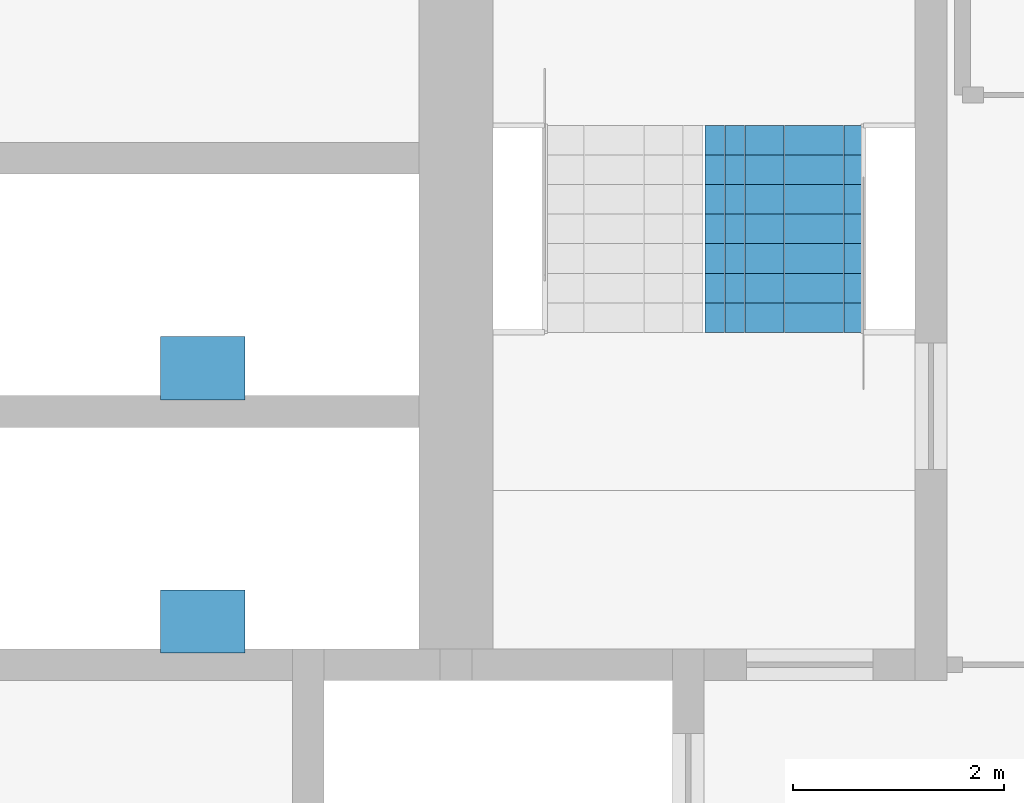
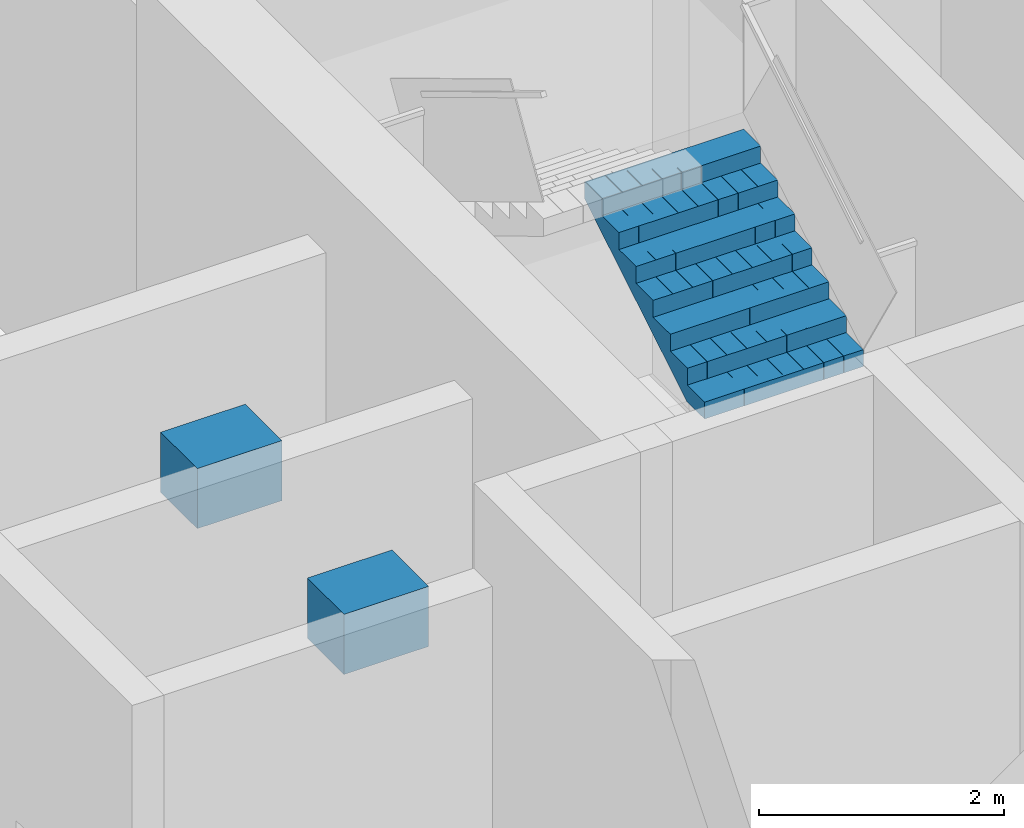
# One storey, part 14 of 42: 2 discrete accessories, 1 stair flight, 1 element without a shape of its own.
"""IFC4 building model written with IfcOpenShell, lengths in metres."""

from ifc_helpers import new_model, si_unit, direction, frame, origin, origin_2d, place, context, subcontext, project, spatial, polyline, rectangle, outline, extrude, material, type_object, element, aggregate, save


model = new_model("IFC4")

# Units and contexts
model_context = context("Model", 3, precision=1e-05, world=origin(), true_north=direction((0.0, 1.0)))
body_context = subcontext(model_context, "Body", "Model", "MODEL_VIEW")
ifc_project = project(units=[si_unit("LENGTHUNIT", "METRE"), si_unit("AREAUNIT", "SQUARE_METRE"), si_unit("VOLUMEUNIT", "CUBIC_METRE"), si_unit("PLANEANGLEUNIT", "RADIAN"), si_unit("MASSUNIT", "GRAM", prefix="KILO")], contexts=[model_context])

# Site, building, storey
site_placement = place(None, origin())
site = spatial("IfcSite", under=ifc_project, at=site_placement, CompositionType="ELEMENT")
building_placement = place(site_placement, origin())
building = spatial("IfcBuilding", under=site, at=building_placement, Name="Kolab Exchange Tower", CompositionType="ELEMENT")
storey_placement = place(building_placement, frame((0.0, 0.0, 133.39990234375)))
storey = spatial("IfcBuildingStorey", under=building, at=storey_placement, Name="L26", CompositionType="ELEMENT", Elevation=133.39990234375)

# Stair, stair flight
ifc_material = material(Name="Concrete C50/60", Category="concrete")
stair_type = type_object("IfcStairType", Name="STAIR ST1 RISER 168.8", PredefinedType="DOUBLE_RETURN_STAIR", material=ifc_material)
stair_placement = place(storey_placement, origin())
stair = element("IfcStair", 1, at=stair_placement, inside=storey, type_object=stair_type, Name="Stair 1", PredefinedType="DOUBLE_RETURN_STAIR")
stair_flight_type = type_object("IfcStairFlightType", Name="STAIR FLIGHT 1500 RISER 168.8", PredefinedType="STRAIGHT", material=ifc_material)
stair_flight_placement = place(storey_placement, frame((-6.489990234375, 5.550048828125, 2.7001953125), z_axis=(0.0, 0.0, 1.0), x_axis=(0.0, 1.0, 0.0)))
stair_flight = element("IfcStairFlight", 2, at=stair_flight_placement, type_object=stair_flight_type, Name="ST1 flight 3", NumberOfRisers=8, NumberOfTreads=7, PredefinedType="STRAIGHT", RiserHeight=0.16875, TreadLength=0.28, context=body_context, shape_type="SweptSolid", body=[
    extrude(outline(polyline([(0.0, 0.0), (0.0, 0.168701171875), (0.280029296875, 0.168701171875), (0.280029296875, 0.33740234375), (0.56005859375, 0.33740234375), (0.56005859375, 0.50634765625), (0.840087890625, 0.50634765625), (0.840087890625, 0.675048828125), (1.1201171875, 0.675048828125), (1.1201171875, 0.84375), (1.39990234375, 0.84375), (1.39990234375, 1.012451171875), (1.679931640625, 1.012451171875), (1.679931640625, 1.18115234375), (1.9599609375, 1.18115234375), (1.9599609375, 1.35009765625), (1.9599609375, 1.00634765625), (0.29052734375, 0.0), (0.0, 0.0)])), frame((0.0, 0.75, 0.0), z_axis=(0.0, -1.0, 0.0), x_axis=(1.0, 0.0, 0.0)), (0.0, 0.0, 1.0), 0.185791015625),
    extrude(outline(polyline([(0.0, 0.0), (0.0, 0.168701171875), (0.280029296875, 0.168701171875), (0.280029296875, 0.33740234375), (0.56005859375, 0.33740234375), (0.56005859375, 0.50634765625), (0.840087890625, 0.50634765625), (0.840087890625, 0.675048828125), (1.1201171875, 0.675048828125), (1.1201171875, 0.84375), (1.39990234375, 0.84375), (1.39990234375, 1.012451171875), (1.679931640625, 1.012451171875), (1.679931640625, 1.18115234375), (1.9599609375, 1.18115234375), (1.9599609375, 1.35009765625), (1.9599609375, 1.00634765625), (0.29052734375, 0.0), (0.0, 0.0)])), frame((0.0, 0.562255859375, 0.0), z_axis=(0.0, -1.0, 0.0), x_axis=(1.0, 0.0, 0.0)), (0.0, 0.0, 1.0), 0.185791015625),
    extrude(outline(polyline([(0.0, 0.0), (0.0, 0.168701171875), (0.280029296875, 0.168701171875), (0.280029296875, 0.33740234375), (0.56005859375, 0.33740234375), (0.56005859375, 0.50634765625), (0.840087890625, 0.50634765625), (0.840087890625, 0.675048828125), (1.1201171875, 0.675048828125), (1.1201171875, 0.84375), (1.39990234375, 0.84375), (1.39990234375, 1.012451171875), (1.679931640625, 1.012451171875), (1.679931640625, 1.18115234375), (1.9599609375, 1.18115234375), (1.9599609375, 1.35009765625), (1.9599609375, 1.00634765625), (0.29052734375, 0.0), (0.0, 0.0)])), frame((0.0, 0.37451171875, 0.0), z_axis=(0.0, -1.0, 0.0), x_axis=(1.0, 0.0, 0.0)), (0.0, 0.0, 1.0), 0.185791015625),
    extrude(outline(polyline([(0.0, 0.0), (0.0, 0.168701171875), (0.280029296875, 0.168701171875), (0.280029296875, 0.33740234375), (0.56005859375, 0.33740234375), (0.56005859375, 0.50634765625), (0.840087890625, 0.50634765625), (0.840087890625, 0.675048828125), (1.1201171875, 0.675048828125), (1.1201171875, 0.84375), (1.39990234375, 0.84375), (1.39990234375, 1.012451171875), (1.679931640625, 1.012451171875), (1.679931640625, 1.18115234375), (1.9599609375, 1.18115234375), (1.9599609375, 1.35009765625), (1.9599609375, 1.00634765625), (0.29052734375, 0.0), (0.0, 0.0)])), frame((0.0, 0.186767578125, 0.0), z_axis=(0.0, -1.0, 0.0), x_axis=(1.0, 0.0, 0.0)), (0.0, 0.0, 1.0), 0.185791015625),
    extrude(outline(polyline([(0.0, 0.0), (0.0, 0.168701171875), (0.280029296875, 0.168701171875), (0.280029296875, 0.33740234375), (0.56005859375, 0.33740234375), (0.56005859375, 0.50634765625), (0.840087890625, 0.50634765625), (0.840087890625, 0.675048828125), (1.1201171875, 0.675048828125), (1.1201171875, 0.84375), (1.39990234375, 0.84375), (1.39990234375, 1.012451171875), (1.679931640625, 1.012451171875), (1.679931640625, 1.18115234375), (1.9599609375, 1.18115234375), (1.9599609375, 1.35009765625), (1.9599609375, 1.00634765625), (0.29052734375, 0.0), (0.0, 0.0)])), frame((0.0, -0.0009765625, 0.0), z_axis=(0.0, -1.0, 0.0), x_axis=(1.0, 0.0, 0.0)), (0.0, 0.0, 1.0), 0.185791015625),
    extrude(outline(polyline([(0.0, 0.0), (0.0, 0.168701171875), (0.280029296875, 0.168701171875), (0.280029296875, 0.33740234375), (0.56005859375, 0.33740234375), (0.56005859375, 0.50634765625), (0.840087890625, 0.50634765625), (0.840087890625, 0.675048828125), (1.1201171875, 0.675048828125), (1.1201171875, 0.84375), (1.39990234375, 0.84375), (1.39990234375, 1.012451171875), (1.679931640625, 1.012451171875), (1.679931640625, 1.18115234375), (1.9599609375, 1.18115234375), (1.9599609375, 1.35009765625), (1.9599609375, 1.00634765625), (0.29052734375, 0.0), (0.0, 0.0)])), frame((0.0, -0.188720703125, 0.0), z_axis=(0.0, -1.0, 0.0), x_axis=(1.0, 0.0, 0.0)), (0.0, 0.0, 1.0), 0.185791015625),
    extrude(outline(polyline([(0.0, 0.0), (0.0, 0.168701171875), (0.280029296875, 0.168701171875), (0.280029296875, 0.33740234375), (0.56005859375, 0.33740234375), (0.56005859375, 0.50634765625), (0.840087890625, 0.50634765625), (0.840087890625, 0.675048828125), (1.1201171875, 0.675048828125), (1.1201171875, 0.84375), (1.39990234375, 0.84375), (1.39990234375, 1.012451171875), (1.679931640625, 1.012451171875), (1.679931640625, 1.18115234375), (1.9599609375, 1.18115234375), (1.9599609375, 1.35009765625), (1.9599609375, 1.00634765625), (0.29052734375, 0.0), (0.0, 0.0)])), frame((0.0, -0.37646484375, 0.0), z_axis=(0.0, -1.0, 0.0), x_axis=(1.0, 0.0, 0.0)), (0.0, 0.0, 1.0), 0.185791015625),
    extrude(outline(polyline([(0.0, 0.0), (0.0, 0.168701171875), (0.280029296875, 0.168701171875), (0.280029296875, 0.33740234375), (0.56005859375, 0.33740234375), (0.56005859375, 0.50634765625), (0.840087890625, 0.50634765625), (0.840087890625, 0.675048828125), (1.1201171875, 0.675048828125), (1.1201171875, 0.84375), (1.39990234375, 0.84375), (1.39990234375, 1.012451171875), (1.679931640625, 1.012451171875), (1.679931640625, 1.18115234375), (1.9599609375, 1.18115234375), (1.9599609375, 1.35009765625), (1.9599609375, 1.00634765625), (0.29052734375, 0.0), (0.0, 0.0)])), frame((0.0, -0.564208984375, 0.0), z_axis=(0.0, -1.0, 0.0), x_axis=(1.0, 0.0, 0.0)), (0.0, 0.0, 1.0), 0.185791015625),
])
aggregate(stair, [stair_flight])

# Discrete accessories
for number, where, z_axis, x_axis, name in (
    (3, (-12.0, 2.81005859375, 3.800048828125), (0.0, 0.0, 1.0), (1.0, 0.0, 0.0), "Lift machine SH3"),
    (4, (-12.0, 5.2099609375, 3.800048828125), (0.0, 0.0, 1.0), (1.0, 0.0, 0.0), "Lift machine SH4"),
):
    element("IfcDiscreteAccessory", number, at=place(storey_placement, frame(where, z_axis=z_axis, x_axis=x_axis)), inside=storey, Name=name, ObjectType="LIFT MACHINE", PredefinedType="USERDEFINED", context=body_context, shape_type="SweptSolid", body=[
        extrude(rectangle(XDim=0.800048828125, YDim=0.60009765625, at=origin_2d()), origin(), (0.0, 0.0, 1.0), 0.60009765625),
    ])

save(model, "model.ifc")
